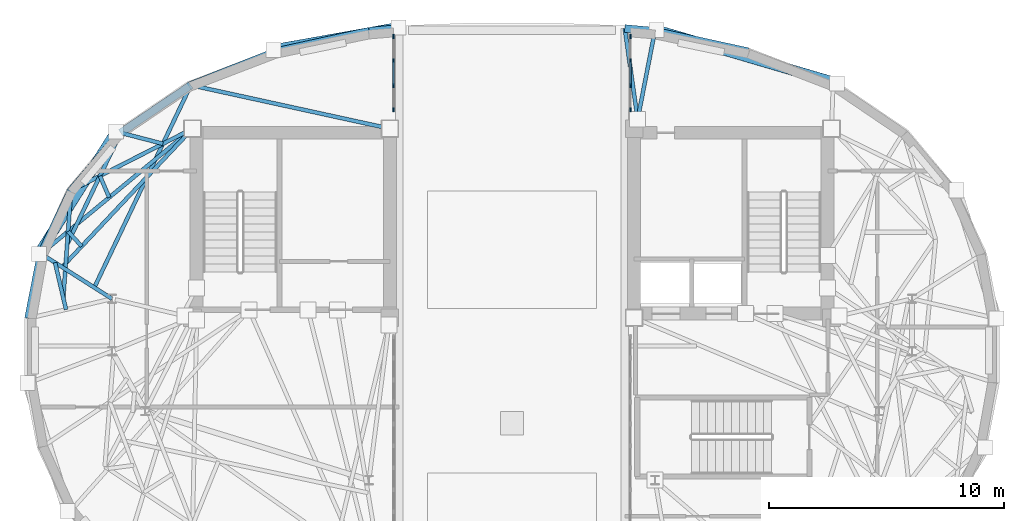
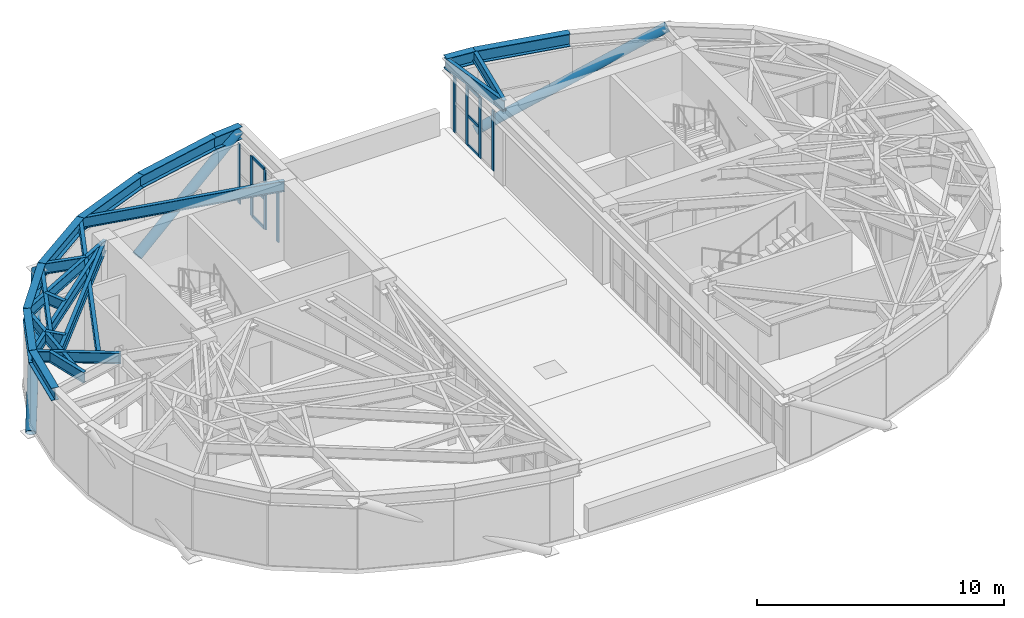
# One storey, part 4 of 13: 23 beams, 17 members, 2 elements without a shape of their own.
"""IFC4 building model written with IfcOpenShell, lengths in metres."""

from ifc_helpers import new_model, si_unit, direction, frame, origin, origin_2d, place, context, subcontext, project, spatial, rectangle, hollow_circle, i_section, extrude, material, layer, layer_set, material_profile, profile_set, type_object, element, aggregate, save


model = new_model("IFC4")

# Units and contexts
model_context = context("Model", 3, precision=1e-05, world=origin(), true_north=direction((0.0, 1.0)))
body_context = subcontext(model_context, "Body", "Model", "MODEL_VIEW")
ifc_project = project(units=[si_unit("LENGTHUNIT", "METRE"), si_unit("AREAUNIT", "SQUARE_METRE"), si_unit("VOLUMEUNIT", "CUBIC_METRE"), si_unit("PLANEANGLEUNIT", "RADIAN"), si_unit("MASSUNIT", "GRAM", prefix="KILO")], contexts=[model_context])

# Site, building, storey
site_placement = place(None, origin())
site = spatial("IfcSite", under=ifc_project, at=site_placement, CompositionType="ELEMENT")
building_placement = place(site_placement, origin())
building = spatial("IfcBuilding", under=site, at=building_placement, Name="Keldmark Tower", CompositionType="ELEMENT")
storey_placement = place(building_placement, frame((0.0, 0.0, 269.199951171875)))
storey = spatial("IfcBuildingStorey", under=building, at=storey_placement, Name="L76", CompositionType="ELEMENT", Elevation=269.199951171875)

# Members
ifc_material_1 = material(Name="Steel ASTM A572 Grade 50", Category="steel")
ifc_material_profile_1 = material_profile(ifc_material_1, hollow_circle(Radius=0.22509765625, WallThickness=0.02197265625, at=origin_2d()), Name="CHS450X22")
ifc_profile_set_1 = profile_set([ifc_material_profile_1], Name="Steel ASTM A572 Grade 50")
member_type_1 = type_object("IfcMemberType", Name="Crown Frame Brace CHS450X22", PredefinedType="USERDEFINED", material=ifc_profile_set_1)
member_1_placement = place(storey_placement, frame((6.154296875, 13.644775390625, -0.449951171875), z_axis=(0.866778404172, -0.255177712356, 0.428461822311), x_axis=(0.282413724237, 0.959292702132, 0.0)))
element("IfcMember", 1, at=member_1_placement, inside=storey, type_object=member_type_1, Name="L76 Crown Frame Diagonal E00", ObjectType="CROWN FRAME", PredefinedType="USERDEFINED", context=body_context, shape_type="SweptSolid", body=[
    extrude(hollow_circle(Radius=0.22509765625, WallThickness=0.02197265625, at=origin_2d()), origin(), (0.0, 0.0, 1.0), 8.869140625),
])
member_2_placement = place(storey_placement, frame((-20.139892578125, 4.12158203125, -0.449951171875), z_axis=(0.454661727466, 0.719636626699, 0.524791233816), x_axis=(-0.845407009071, 0.534122634807, 0.0)))
element("IfcMember", 2, at=member_2_placement, inside=storey, type_object=member_type_1, Name="L76 Crown Frame Diagonal W08", ObjectType="CROWN FRAME", PredefinedType="USERDEFINED", context=body_context, shape_type="SweptSolid", body=[
    extrude(hollow_circle(Radius=0.22509765625, WallThickness=0.02197265625, at=origin_2d()), origin(), (0.0, 0.0, 1.0), 7.240966796875),
])
member_3_placement = place(storey_placement, frame((-10.153076171875, 12.806884765625, -0.449951171875), z_axis=(0.805311500811, 0.143500736894, 0.575222500579), x_axis=(-0.175429419345, 0.984492010546, 0.0)))
element("IfcMember", 3, at=member_3_placement, inside=storey, type_object=member_type_1, Name="L76 Crown Frame Diagonal W12", ObjectType="CROWN FRAME", PredefinedType="USERDEFINED", context=body_context, shape_type="SweptSolid", body=[
    extrude(hollow_circle(Radius=0.22509765625, WallThickness=0.02197265625, at=origin_2d()), origin(), (0.0, 0.0, 1.0), 6.606201171875),
])

# Curtain wall, members
ifc_material_2 = material(Name="Unitized Thermally Broken Aluminum and Triple Low-E Glazing", Category="aluminium")
ifc_layer = layer(ifc_material_2, 0.219970703125)
ifc_layer_set = layer_set([ifc_layer], Name="Unitized Thermally Broken Aluminum and Triple Low-E Glazing")
curtain_wall_type = type_object("IfcCurtainWallType", Name="Split-Top Crown Lantern Curtain Wall System", PredefinedType="NOTDEFINED", material=ifc_layer_set)
curtain_wall_1_placement = place(storey_placement, origin())
curtain_wall_1 = element("IfcCurtainWall", 4, at=curtain_wall_1_placement, inside=storey, type_object=curtain_wall_type, Name="L76 Split-Top Crown Lantern Curtain Wall System CW-L76-ES14-0", PredefinedType="NOTDEFINED")
ifc_material_3 = material(Name="Extruded Aluminum Alloy 6063-T6", Category="aluminium")
ifc_material_profile_2 = material_profile(ifc_material_3, rectangle(XDim=0.06005859375, YDim=0.139892578125, at=origin_2d()), Name="CWT60X140")
ifc_profile_set_2 = profile_set([ifc_material_profile_2], Name="Extruded Aluminum Alloy 6063-T6")
member_type_2 = type_object("IfcMemberType", Name="Curtain Wall Horizontal Transom 60x140", PredefinedType="USERDEFINED", material=ifc_profile_set_2)
member_4_placement = place(storey_placement, frame((5.0400390625, 12.31591796875, 0.030029296875), z_axis=(0.0, -1.0, 0.0), x_axis=(1.0, 0.0, 0.0)))
member_4 = element("IfcMember", 5, at=member_4_placement, type_object=member_type_2, Name="CW transom 2.1", ObjectType="TRANSOM", PredefinedType="USERDEFINED", context=body_context, shape_type="SweptSolid", body=[
    extrude(rectangle(XDim=0.06005859375, YDim=0.139892578125, at=origin_2d()), origin(), (0.0, 0.0, 1.0), 0.998779296875),
])
member_5_placement = place(storey_placement, frame((5.0400390625, 12.31591796875, 1.483154296875), z_axis=(0.0, -1.0, 0.0), x_axis=(1.0, 0.0, 0.0)))
member_5 = element("IfcMember", 6, at=member_5_placement, type_object=member_type_2, Name="CW transom 2.2", ObjectType="TRANSOM", PredefinedType="USERDEFINED", context=body_context, shape_type="SweptSolid", body=[
    extrude(rectangle(XDim=0.06005859375, YDim=0.139892578125, at=origin_2d()), origin(), (0.0, 0.0, 1.0), 0.998779296875),
])
member_6_placement = place(storey_placement, frame((5.0400390625, 12.31591796875, 2.93603515625), z_axis=(0.0, -1.0, 0.0), x_axis=(1.0, 0.0, 0.0)))
member_6 = element("IfcMember", 7, at=member_6_placement, type_object=member_type_2, Name="CW transom 2.3", ObjectType="TRANSOM", PredefinedType="USERDEFINED", context=body_context, shape_type="SweptSolid", body=[
    extrude(rectangle(XDim=0.06005859375, YDim=0.139892578125, at=origin_2d()), origin(), (0.0, 0.0, 1.0), 0.998779296875),
])

curtain_wall_2_placement = place(storey_placement, origin())
curtain_wall_2 = element("IfcCurtainWall", 8, at=curtain_wall_2_placement, inside=storey, type_object=curtain_wall_type, Name="L76 Split-Top Crown Lantern Curtain Wall System CW-L76-WS14-1", PredefinedType="NOTDEFINED")
member_7_placement = place(storey_placement, frame((-5.0400390625, 11.317138671875, 0.030029296875), z_axis=(0.0, 1.0, 0.0), x_axis=(-1.0, 0.0, 0.0)))
member_7 = element("IfcMember", 9, at=member_7_placement, type_object=member_type_2, Name="CW transom 2.1", ObjectType="TRANSOM", PredefinedType="USERDEFINED", context=body_context, shape_type="SweptSolid", body=[
    extrude(rectangle(XDim=0.06005859375, YDim=0.139892578125, at=origin_2d()), origin(), (0.0, 0.0, 1.0), 0.998779296875),
])
member_8_placement = place(storey_placement, frame((-5.0400390625, 11.317138671875, 1.483154296875), z_axis=(0.0, 1.0, 0.0), x_axis=(-1.0, 0.0, 0.0)))
member_8 = element("IfcMember", 10, at=member_8_placement, type_object=member_type_2, Name="CW transom 2.2", ObjectType="TRANSOM", PredefinedType="USERDEFINED", context=body_context, shape_type="SweptSolid", body=[
    extrude(rectangle(XDim=0.06005859375, YDim=0.139892578125, at=origin_2d()), origin(), (0.0, 0.0, 1.0), 0.998779296875),
])
member_9_placement = place(storey_placement, frame((-5.0400390625, 11.317138671875, 2.93603515625), z_axis=(0.0, 1.0, 0.0), x_axis=(-1.0, 0.0, 0.0)))
member_9 = element("IfcMember", 11, at=member_9_placement, type_object=member_type_2, Name="CW transom 2.3", ObjectType="TRANSOM", PredefinedType="USERDEFINED", context=body_context, shape_type="SweptSolid", body=[
    extrude(rectangle(XDim=0.06005859375, YDim=0.139892578125, at=origin_2d()), origin(), (0.0, 0.0, 1.0), 0.998779296875),
])

# Member
ifc_material_4 = material(Name="Extruded Aluminum Alloy 6063-T6", Category="aluminium")
ifc_material_profile_3 = material_profile(ifc_material_4, rectangle(XDim=0.06005859375, YDim=0.179931640625, at=origin_2d()), Name="CWM60X180")
ifc_profile_set_3 = profile_set([ifc_material_profile_3], Name="Extruded Aluminum Alloy 6063-T6")
member_type_3 = type_object("IfcMemberType", Name="Curtain Wall Structural Mullion 60x180", PredefinedType="MULLION", material=ifc_profile_set_3)
member_10_placement = place(storey_placement, frame((5.0400390625, 13.37451171875, 0.0), z_axis=(0.0, 0.0, 1.0), x_axis=(1.0, 0.0, 0.0)))
member_10 = element("IfcMember", 12, at=member_10_placement, type_object=member_type_3, Name="CW mullion 1", PredefinedType="MULLION", context=body_context, shape_type="SweptSolid", body=[
    extrude(rectangle(XDim=0.06005859375, YDim=0.179931640625, at=origin_2d()), origin(), (0.0, 0.0, 1.0), 2.966064453125),
])

member_11_placement = place(storey_placement, frame((5.0400390625, 12.345947265625, 0.0), z_axis=(0.0, 0.0, 1.0), x_axis=(1.0, 0.0, 0.0)))
member_11 = element("IfcMember", 13, at=member_11_placement, type_object=member_type_3, Name="CW mullion 2", PredefinedType="MULLION", context=body_context, shape_type="SweptSolid", body=[
    extrude(rectangle(XDim=0.06005859375, YDim=0.179931640625, at=origin_2d()), origin(), (0.0, 0.0, 1.0), 2.966064453125),
])

member_12_placement = place(storey_placement, frame((5.0400390625, 11.287109375, 0.0), z_axis=(0.0, 0.0, 1.0), x_axis=(1.0, 0.0, 0.0)))
member_12 = element("IfcMember", 14, at=member_12_placement, type_object=member_type_3, Name="CW mullion 3", PredefinedType="MULLION", context=body_context, shape_type="SweptSolid", body=[
    extrude(rectangle(XDim=0.06005859375, YDim=0.179931640625, at=origin_2d()), origin(), (0.0, 0.0, 1.0), 2.966064453125),
])

member_13_placement = place(storey_placement, frame((5.0400390625, 10.258544921875, 0.0), z_axis=(0.0, 0.0, 1.0), x_axis=(1.0, 0.0, 0.0)))
member_13 = element("IfcMember", 15, at=member_13_placement, type_object=member_type_3, Name="CW mullion 4", PredefinedType="MULLION", context=body_context, shape_type="SweptSolid", body=[
    extrude(rectangle(XDim=0.06005859375, YDim=0.179931640625, at=origin_2d()), origin(), (0.0, 0.0, 1.0), 2.966064453125),
])

aggregate(curtain_wall_1, [member_10, member_11, member_12, member_13, member_4, member_5, member_6])

member_14_placement = place(storey_placement, frame((-5.0400390625, 10.258544921875, 0.0), z_axis=(0.0, 0.0, 1.0), x_axis=(-1.0, 0.0, 0.0)))
member_14 = element("IfcMember", 16, at=member_14_placement, type_object=member_type_3, Name="CW mullion 1", PredefinedType="MULLION", context=body_context, shape_type="SweptSolid", body=[
    extrude(rectangle(XDim=0.06005859375, YDim=0.179931640625, at=origin_2d()), origin(), (0.0, 0.0, 1.0), 2.966064453125),
])

member_15_placement = place(storey_placement, frame((-5.0400390625, 11.287109375, 0.0), z_axis=(0.0, 0.0, 1.0), x_axis=(-1.0, 0.0, 0.0)))
member_15 = element("IfcMember", 17, at=member_15_placement, type_object=member_type_3, Name="CW mullion 2", PredefinedType="MULLION", context=body_context, shape_type="SweptSolid", body=[
    extrude(rectangle(XDim=0.06005859375, YDim=0.179931640625, at=origin_2d()), origin(), (0.0, 0.0, 1.0), 2.966064453125),
])

member_16_placement = place(storey_placement, frame((-5.0400390625, 12.345947265625, 0.0), z_axis=(0.0, 0.0, 1.0), x_axis=(-1.0, 0.0, 0.0)))
member_16 = element("IfcMember", 18, at=member_16_placement, type_object=member_type_3, Name="CW mullion 3", PredefinedType="MULLION", context=body_context, shape_type="SweptSolid", body=[
    extrude(rectangle(XDim=0.06005859375, YDim=0.179931640625, at=origin_2d()), origin(), (0.0, 0.0, 1.0), 2.966064453125),
])

member_17_placement = place(storey_placement, frame((-5.0400390625, 13.37451171875, 0.0), z_axis=(0.0, 0.0, 1.0), x_axis=(-1.0, 0.0, 0.0)))
member_17 = element("IfcMember", 19, at=member_17_placement, type_object=member_type_3, Name="CW mullion 4", PredefinedType="MULLION", context=body_context, shape_type="SweptSolid", body=[
    extrude(rectangle(XDim=0.06005859375, YDim=0.179931640625, at=origin_2d()), origin(), (0.0, 0.0, 1.0), 2.966064453125),
])

aggregate(curtain_wall_2, [member_14, member_15, member_16, member_17, member_7, member_8, member_9])

# Beams
ifc_material_5 = material(Name="Steel ASTM A992 Grade 50", Category="steel")
ifc_material_profile_4 = material_profile(ifc_material_5, i_section(OverallWidth=0.166015625, OverallDepth=0.529052734375, WebThickness=0.009765625, FlangeThickness=0.013671875, at=origin_2d()), Name="W21X50")
ifc_profile_set_4 = profile_set([ifc_material_profile_4], Name="Steel ASTM A992 Grade 50")
beam_type_1 = type_object("IfcBeamType", Name="Radial Tie Girder W21X50", PredefinedType="BEAM", material=ifc_profile_set_4)
beam_1_placement = place(storey_placement, frame((5.35009765625, 9.85009765625, 3.33544921875), z_axis=(0.191369189361, 0.981518126864, 0.0), x_axis=(-0.981518126864, 0.191369189361, 0.0)))
element("IfcBeam", 20, at=beam_1_placement, inside=storey, type_object=beam_type_1, Name="L76 East Crown Shear-Wall Bracket CRT-E01G", PredefinedType="BEAM", context=body_context, shape_type="SweptSolid", body=[
    extrude(i_section(OverallWidth=0.166015625, OverallDepth=0.529052734375, WebThickness=0.009765625, FlangeThickness=0.013671875, at=origin_2d()), origin(), (0.0, 0.0, 1.0), 3.819580078125),
])
beam_2_placement = place(storey_placement, frame((5.35009765625, 9.85009765625, 3.33544921875), z_axis=(-0.140913473709, 0.990021915377, 0.0), x_axis=(-0.990021915377, -0.140913473709, 0.0)))
element("IfcBeam", 21, at=beam_2_placement, inside=storey, type_object=beam_type_1, Name="L76 East Crown Shear-Wall Bracket CRT-E16G", PredefinedType="BEAM", context=body_context, shape_type="SweptSolid", body=[
    extrude(i_section(OverallWidth=0.166015625, OverallDepth=0.529052734375, WebThickness=0.009765625, FlangeThickness=0.013671875, at=origin_2d()), origin(), (0.0, 0.0, 1.0), 3.903564453125),
])
beam_3_placement = place(storey_placement, frame((-17.025634765625, 2.2080078125, 3.33544921875), z_axis=(-0.844301515999, 0.535868407431, 0.0), x_axis=(-0.535868407431, -0.844301515999, 0.0)))
element("IfcBeam", 22, at=beam_3_placement, inside=storey, type_object=beam_type_1, Name="L76 Perimeter Column Bracket CRT-W09", PredefinedType="BEAM", context=body_context, shape_type="SweptSolid", body=[
    extrude(i_section(OverallWidth=0.166015625, OverallDepth=0.529052734375, WebThickness=0.009765625, FlangeThickness=0.013671875, at=origin_2d()), origin(), (0.0, 0.0, 1.0), 3.577880859375),
])
beam_4_placement = place(storey_placement, frame((-18.983642578125, 1.75, 3.33544921875), z_axis=(-0.227432878502, 0.973793759364, 0.0), x_axis=(-0.973793759364, -0.227432878502, 0.0)))
element("IfcBeam", 23, at=beam_4_placement, inside=storey, type_object=beam_type_1, Name="L76 Framing Pin Header PH-016", PredefinedType="BEAM", context=body_context, shape_type="SweptSolid", body=[
    extrude(i_section(OverallWidth=0.166015625, OverallDepth=0.529052734375, WebThickness=0.009765625, FlangeThickness=0.013671875, at=origin_2d()), origin(), (0.0, 0.0, 1.0), 2.05029296875),
])
beam_5_placement = place(storey_placement, frame((-13.60009765625, 9.449951171875, 3.33544921875), z_axis=(-0.68560359909, -0.72797507163, 0.0), x_axis=(0.72797507163, -0.68560359909, 0.0)))
element("IfcBeam", 24, at=beam_5_placement, inside=storey, type_object=beam_type_1, Name="L76 Framing Pin Header PH-017", PredefinedType="BEAM", context=body_context, shape_type="SweptSolid", body=[
    extrude(i_section(OverallWidth=0.166015625, OverallDepth=0.529052734375, WebThickness=0.009765625, FlangeThickness=0.013671875, at=origin_2d()), origin(), (0.0, 0.0, 1.0), 8.095458984375),
])
beam_6_placement = place(storey_placement, frame((-13.60009765625, 9.449951171875, 3.33544921875), z_axis=(-0.770990425665, -0.636846734728, 0.0), x_axis=(0.636846734728, -0.770990425665, 0.0)))
element("IfcBeam", 25, at=beam_6_placement, inside=storey, type_object=beam_type_1, Name="L76 Straddling Support Chord CRT-W10RB", PredefinedType="BEAM", context=body_context, shape_type="SweptSolid", body=[
    extrude(i_section(OverallWidth=0.166015625, OverallDepth=0.529052734375, WebThickness=0.009765625, FlangeThickness=0.013671875, at=origin_2d()), origin(), (0.0, 0.0, 1.0), 8.361083984375),
])
beam_7_placement = place(storey_placement, frame((-18.31787109375, 4.440673828125, 3.33544921875), z_axis=(-0.67380408299, 0.738910047127, 0.0), x_axis=(-0.738910047127, -0.67380408299, 0.0)))
element("IfcBeam", 26, at=beam_7_placement, inside=storey, type_object=beam_type_1, Name="L76 Framing Pin Header PH-023", PredefinedType="BEAM", context=body_context, shape_type="SweptSolid", body=[
    extrude(i_section(OverallWidth=0.166015625, OverallDepth=0.529052734375, WebThickness=0.009765625, FlangeThickness=0.013671875, at=origin_2d()), origin(), (0.0, 0.0, 1.0), 0.858642578125),
])
beam_8_placement = place(storey_placement, frame((-19.10009765625, 2.249267578125, 3.33544921875), z_axis=(0.07192296772, 0.997410189799, 0.0), x_axis=(-0.997410189799, 0.07192296772, 0.0)))
element("IfcBeam", 27, at=beam_8_placement, inside=storey, type_object=beam_type_1, Name="L76 Perimeter Radial Tie Girder CRT-W10R", PredefinedType="BEAM", context=body_context, shape_type="SweptSolid", body=[
    extrude(i_section(OverallWidth=0.166015625, OverallDepth=0.529052734375, WebThickness=0.009765625, FlangeThickness=0.013671875, at=origin_2d()), origin(), (0.0, 0.0, 1.0), 4.56884765625),
])
beam_9_placement = place(storey_placement, frame((-13.60009765625, 9.449951171875, 3.33544921875), z_axis=(-0.890406667478, -0.455165867031, 0.0), x_axis=(0.455165867031, -0.890406667478, 0.0)))
element("IfcBeam", 28, at=beam_9_placement, inside=storey, type_object=beam_type_1, Name="L76 Straddling Support Chord CRT-W11RB", PredefinedType="BEAM", context=body_context, shape_type="SweptSolid", body=[
    extrude(i_section(OverallWidth=0.166015625, OverallDepth=0.529052734375, WebThickness=0.009765625, FlangeThickness=0.013671875, at=origin_2d()), origin(), (0.0, 0.0, 1.0), 5.807861328125),
])
beam_10_placement = place(storey_placement, frame((-17.1455078125, 6.521484375, 3.33544921875), z_axis=(-0.395191195419, 0.918598889104, 0.0), x_axis=(-0.918598889104, -0.395191195419, 0.0)))
element("IfcBeam", 29, at=beam_10_placement, inside=storey, type_object=beam_type_1, Name="L76 Framing Pin Header PH-024", PredefinedType="BEAM", context=body_context, shape_type="SweptSolid", body=[
    extrude(i_section(OverallWidth=0.166015625, OverallDepth=0.529052734375, WebThickness=0.009765625, FlangeThickness=0.013671875, at=origin_2d()), origin(), (0.0, 0.0, 1.0), 0.995849609375),
])
beam_11_placement = place(storey_placement, frame((-18.935791015625, 4.52783203125, 3.33544921875), z_axis=(0.432872783172, 0.90145502028, 0.0), x_axis=(-0.90145502028, 0.432872783172, 0.0)))
element("IfcBeam", 30, at=beam_11_placement, inside=storey, type_object=beam_type_1, Name="L76 Perimeter Radial Tie Girder CRT-W11R", PredefinedType="BEAM", context=body_context, shape_type="SweptSolid", body=[
    extrude(i_section(OverallWidth=0.166015625, OverallDepth=0.529052734375, WebThickness=0.009765625, FlangeThickness=0.013671875, at=origin_2d()), origin(), (0.0, 0.0, 1.0), 5.264404296875),
])
beam_12_placement = place(storey_placement, frame((-16.656982421875, 9.2734375, 3.33544921875), z_axis=(0.96773726202, -0.251961488522, 0.0), x_axis=(0.251961488522, 0.96773726202, 0.0)))
element("IfcBeam", 31, at=beam_12_placement, inside=storey, type_object=beam_type_1, Name="L76 Framing Pin Header PH-025", PredefinedType="BEAM", context=body_context, shape_type="SweptSolid", body=[
    extrude(i_section(OverallWidth=0.166015625, OverallDepth=0.529052734375, WebThickness=0.009765625, FlangeThickness=0.013671875, at=origin_2d()), origin(), (0.0, 0.0, 1.0), 1.8564453125),
])
beam_13_placement = place(storey_placement, frame((-17.78076171875, 2.687255859375, 3.33544921875), z_axis=(0.430755631172, 0.902468606774, 0.0), x_axis=(-0.902468606774, 0.430755631172, 0.0)))
element("IfcBeam", 32, at=beam_13_placement, inside=storey, type_object=beam_type_1, Name="L76 Perimeter Radial Tie Girder CRT-W12R", PredefinedType="BEAM", context=body_context, shape_type="SweptSolid", body=[
    extrude(i_section(OverallWidth=0.166015625, OverallDepth=0.529052734375, WebThickness=0.009765625, FlangeThickness=0.013671875, at=origin_2d()), origin(), (0.0, 0.0, 1.0), 9.543212890625),
])
beam_14_placement = place(storey_placement, frame((-5.199951171875, 9.449951171875, 3.33544921875), z_axis=(-0.976971059979, 0.21337185373, 0.0), x_axis=(-0.21337185373, -0.976971059979, 0.0)))
element("IfcBeam", 33, at=beam_14_placement, inside=storey, type_object=beam_type_1, Name="L76 Straddling Support Chord CRT-W13RB", PredefinedType="BEAM", context=body_context, shape_type="SweptSolid", body=[
    extrude(i_section(OverallWidth=0.166015625, OverallDepth=0.529052734375, WebThickness=0.009765625, FlangeThickness=0.013671875, at=origin_2d()), origin(), (0.0, 0.0, 1.0), 8.669677734375),
])
ifc_material_6 = material(Name="Steel ASTM A992 Grade 50", Category="steel")
ifc_material_profile_5 = material_profile(ifc_material_6, i_section(OverallWidth=0.326904296875, OverallDepth=0.6220703125, WebThickness=0.015380859375, FlangeThickness=0.0244140625, at=origin_2d()), Name="W24X131")
ifc_profile_set_5 = profile_set([ifc_material_profile_5], Name="Steel ASTM A992 Grade 50")
beam_type_2 = type_object("IfcBeamType", Name="Spandrel Ring Beam W24X131", PredefinedType="SPANDREL", material=ifc_profile_set_5)
beam_15_placement = place(storey_placement, frame((6.0810546875, 13.59912109375, 3.2890625), z_axis=(0.976881906686, -0.213779653823, 0.0), x_axis=(0.213779653823, 0.976881906686, 0.0)))
element("IfcBeam", 34, at=beam_15_placement, inside=storey, type_object=beam_type_2, Name="L76 Crown Spandrel Ring Beam CRB-E01", PredefinedType="SPANDREL", context=body_context, shape_type="SweptSolid", body=[
    extrude(i_section(OverallWidth=0.326904296875, OverallDepth=0.6220703125, WebThickness=0.015380859375, FlangeThickness=0.0244140625, at=origin_2d()), origin(), (0.0, 0.0, 1.0), 4.046142578125),
])
beam_16_placement = place(storey_placement, frame((4.800048828125, 13.714599609375, 3.2890625), z_axis=(0.995961379777, -0.089782682034, 0.0), x_axis=(0.089782682034, 0.995961379777, 0.0)))
element("IfcBeam", 35, at=beam_16_placement, inside=storey, type_object=beam_type_2, Name="L76 Crown Spandrel Ring Beam CRB-E16", PredefinedType="SPANDREL", context=body_context, shape_type="SweptSolid", body=[
    extrude(i_section(OverallWidth=0.326904296875, OverallDepth=0.6220703125, WebThickness=0.015380859375, FlangeThickness=0.0244140625, at=origin_2d()), origin(), (0.0, 0.0, 1.0), 1.2861328125),
])
beam_17_placement = place(storey_placement, frame((-20.585693359375, 1.37548828125, 3.2890625), z_axis=(0.192462168718, 0.981304393964, 0.0), x_axis=(-0.981304393964, 0.192462168718, 0.0)))
element("IfcBeam", 36, at=beam_17_placement, inside=storey, type_object=beam_type_2, Name="L76 Crown Spandrel Ring Beam CRB-W08", PredefinedType="SPANDREL", context=body_context, shape_type="SweptSolid", body=[
    extrude(i_section(OverallWidth=0.326904296875, OverallDepth=0.6220703125, WebThickness=0.015380859375, FlangeThickness=0.0244140625, at=origin_2d()), origin(), (0.0, 0.0, 1.0), 2.80224609375),
])
beam_18_placement = place(storey_placement, frame((-20.04638671875, 4.125244140625, 3.2890625), z_axis=(0.429429161272, 0.903100545593, 0.0), x_axis=(-0.903100545593, 0.429429161272, 0.0)))
element("IfcBeam", 37, at=beam_18_placement, inside=storey, type_object=beam_type_2, Name="L76 Crown Spandrel Ring Beam CRB-W09", PredefinedType="SPANDREL", context=body_context, shape_type="SweptSolid", body=[
    extrude(i_section(OverallWidth=0.326904296875, OverallDepth=0.6220703125, WebThickness=0.015380859375, FlangeThickness=0.0244140625, at=origin_2d()), origin(), (0.0, 0.0, 1.0), 2.96875),
])
beam_19_placement = place(storey_placement, frame((-18.771484375, 6.806396484375, 3.2890625), z_axis=(0.650772809682, 0.759272513778, 0.0), x_axis=(-0.759272513778, 0.650772809682, 0.0)))
element("IfcBeam", 38, at=beam_19_placement, inside=storey, type_object=beam_type_2, Name="L76 Crown Spandrel Ring Beam CRB-W10", PredefinedType="SPANDREL", context=body_context, shape_type="SweptSolid", body=[
    extrude(i_section(OverallWidth=0.326904296875, OverallDepth=0.6220703125, WebThickness=0.015380859375, FlangeThickness=0.0244140625, at=origin_2d()), origin(), (0.0, 0.0, 1.0), 3.249267578125),
])
beam_20_placement = place(storey_placement, frame((-16.656982421875, 9.2734375, 3.2890625), z_axis=(0.827548721737, 0.561393901955, 0.0), x_axis=(-0.561393901955, 0.827548721737, 0.0)))
element("IfcBeam", 39, at=beam_20_placement, inside=storey, type_object=beam_type_2, Name="L76 Crown Spandrel Ring Beam CRB-W11", PredefinedType="SPANDREL", context=body_context, shape_type="SweptSolid", body=[
    extrude(i_section(OverallWidth=0.326904296875, OverallDepth=0.6220703125, WebThickness=0.015380859375, FlangeThickness=0.0244140625, at=origin_2d()), origin(), (0.0, 0.0, 1.0), 3.609619140625),
])
beam_21_placement = place(storey_placement, frame((-13.669921875, 11.2998046875, 3.2890625), z_axis=(0.930245006855, 0.366938996594, 0.0), x_axis=(-0.366938996594, 0.930245006855, 0.0)))
element("IfcBeam", 40, at=beam_21_placement, inside=storey, type_object=beam_type_2, Name="L76 Crown Spandrel Ring Beam CRB-W12", PredefinedType="SPANDREL", context=body_context, shape_type="SweptSolid", body=[
    extrude(i_section(OverallWidth=0.326904296875, OverallDepth=0.6220703125, WebThickness=0.015380859375, FlangeThickness=0.0244140625, at=origin_2d()), origin(), (0.0, 0.0, 1.0), 3.908935546875),
])
beam_22_placement = place(storey_placement, frame((-10.03369140625, 12.734130859375, 3.2890625), z_axis=(0.976881906686, 0.213779653823, 0.0), x_axis=(-0.213779653823, 0.976881906686, 0.0)))
element("IfcBeam", 41, at=beam_22_placement, inside=storey, type_object=beam_type_2, Name="L76 Crown Spandrel Ring Beam CRB-W13", PredefinedType="SPANDREL", context=body_context, shape_type="SweptSolid", body=[
    extrude(i_section(OverallWidth=0.326904296875, OverallDepth=0.6220703125, WebThickness=0.015380859375, FlangeThickness=0.0244140625, at=origin_2d()), origin(), (0.0, 0.0, 1.0), 4.046142578125),
])
beam_23_placement = place(storey_placement, frame((-6.0810546875, 13.59912109375, 3.2890625), z_axis=(0.995961379777, 0.089782682034, 0.0), x_axis=(-0.089782682034, 0.995961379777, 0.0)))
element("IfcBeam", 42, at=beam_23_placement, inside=storey, type_object=beam_type_2, Name="L76 Crown Spandrel Ring Beam CRB-W14", PredefinedType="SPANDREL", context=body_context, shape_type="SweptSolid", body=[
    extrude(i_section(OverallWidth=0.326904296875, OverallDepth=0.6220703125, WebThickness=0.015380859375, FlangeThickness=0.0244140625, at=origin_2d()), origin(), (0.0, 0.0, 1.0), 1.2861328125),
])

save(model, "model.ifc")
